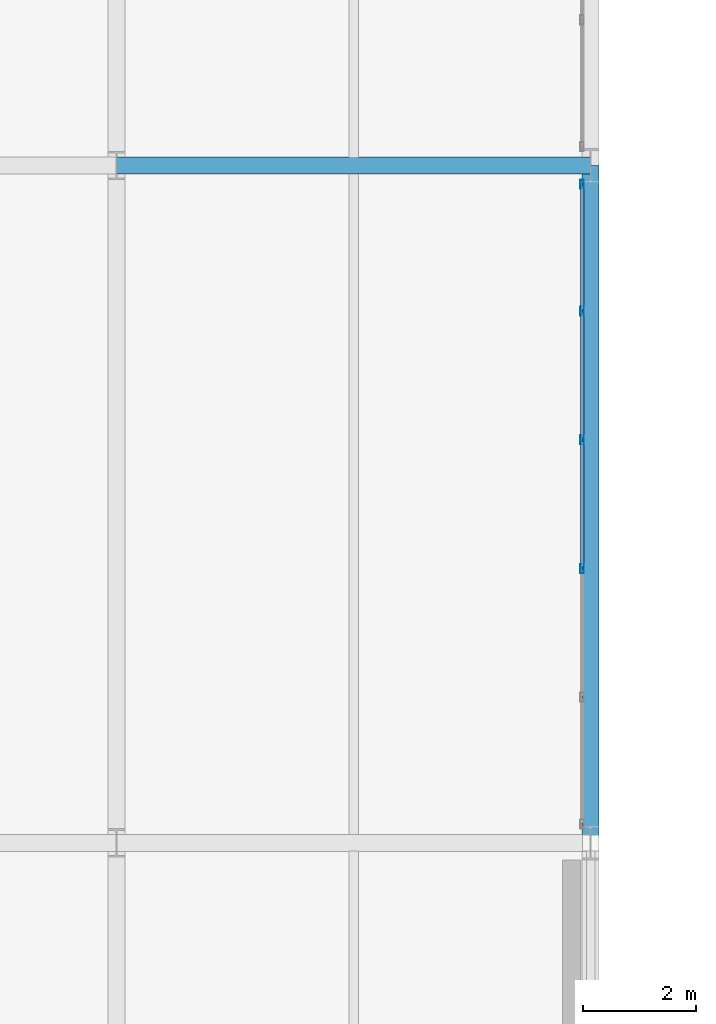
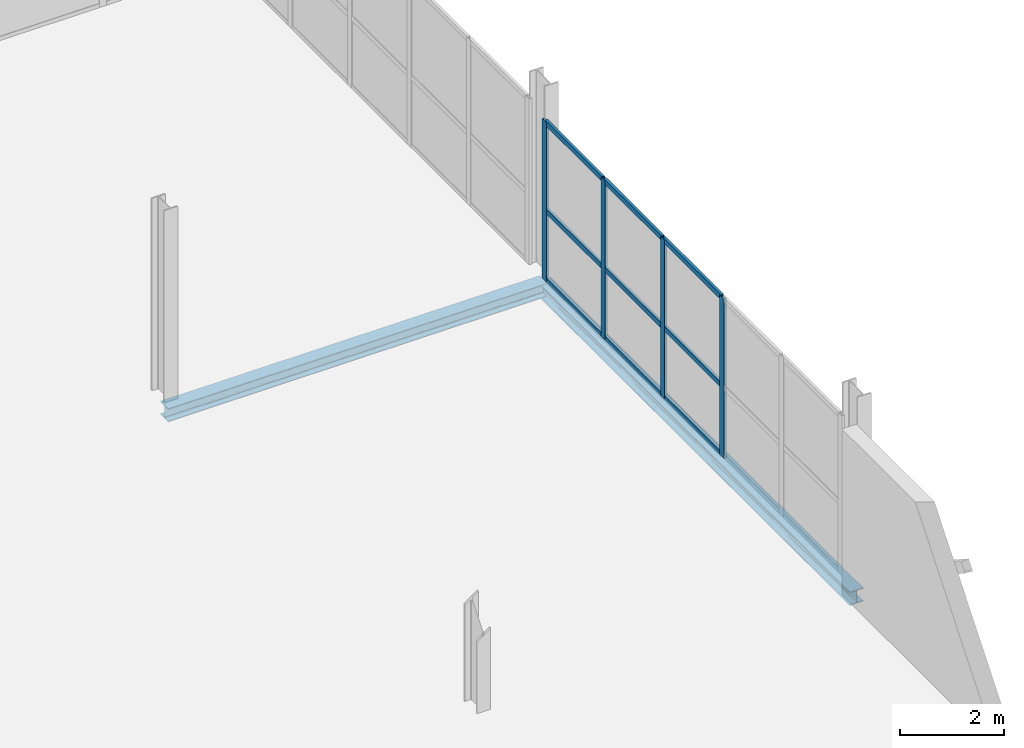
# One storey, part 50 of 109: 13 members, 2 beams, 1 element without a shape of its own.
"""IFC4 building model written with IfcOpenShell, lengths in metres."""

from ifc_helpers import new_model, si_unit, direction, frame, origin, origin_2d, place, context, subcontext, project, spatial, hollow_rectangle, i_section, extrude, material, material_profile, profile_set, type_object, element, aggregate, save


model = new_model("IFC4")

# Units and contexts
model_context = context("Model", 3, precision=1e-05, world=origin(), true_north=direction((0.0, 1.0)))
body_context = subcontext(model_context, "Body", "Model", "MODEL_VIEW")
ifc_project = project(units=[si_unit("LENGTHUNIT", "METRE"), si_unit("AREAUNIT", "SQUARE_METRE"), si_unit("VOLUMEUNIT", "CUBIC_METRE"), si_unit("PLANEANGLEUNIT", "RADIAN"), si_unit("MASSUNIT", "GRAM", prefix="KILO")], contexts=[model_context])

# Site, building, storey
site_placement = place(None, origin())
site = spatial("IfcSite", under=ifc_project, at=site_placement, CompositionType="ELEMENT")
building_placement = place(site_placement, origin())
building = spatial("IfcBuilding", under=site, at=building_placement, Name="Veltarok Museum of Natural Sciences", CompositionType="ELEMENT")
storey_placement = place(building_placement, frame((0.0, 0.0, 17.39990234375)))
storey = spatial("IfcBuildingStorey", under=building, at=storey_placement, Name="L03", CompositionType="ELEMENT", Elevation=17.39990234375)

# Curtain wall, members
ifc_material_1 = material(Name="Low-iron triple insulated glass", Category="glass")
curtain_wall_type = type_object("IfcCurtainWallType", Name="Curtain Wall System CW-V2E-L03-3-1140x373 (CW-V2E L03 1140x373cm)", PredefinedType="NOTDEFINED", material=ifc_material_1)
curtain_wall_placement = place(storey_placement, origin())
curtain_wall = element("IfcCurtainWall", 1, at=curtain_wall_placement, inside=storey, type_object=curtain_wall_type, Name="Curtain Wall CW-V2E-L03-3-1140x373 CW-0135", PredefinedType="NOTDEFINED")
ifc_material_2 = material(Name="Thermally broken anodised aluminium", Category="aluminium")
ifc_material_profile_1 = material_profile(ifc_material_2, hollow_rectangle(XDim=0.06005859375, YDim=0.1201171875, WallThickness=0.0048828125, at=origin_2d()), Name="CW TRANSOM 60x120x5")
ifc_profile_set_1 = profile_set([ifc_material_profile_1], Name="Thermally broken anodised aluminium")
member_type_1 = type_object("IfcMemberType", Name="Curtain Wall Horizontal Transom 60x120x5", PredefinedType="USERDEFINED", material=ifc_profile_set_1)
member_1_placement = place(storey_placement, frame((98.64990234375, 52.889892578125, 0.028076171875), z_axis=(0.0, 1.0, 0.0), x_axis=(-1.0, 0.0, 0.0)))
member_1 = element("IfcMember", 2, at=member_1_placement, type_object=member_type_1, Name="CW-V2E-L03-3-1140x373 transom 3.1", ObjectType="TRANSOM", PredefinedType="USERDEFINED", context=body_context, shape_type="SweptSolid", body=[
    extrude(hollow_rectangle(XDim=0.06005859375, YDim=0.1201171875, WallThickness=0.0048828125, at=origin_2d()), origin(), (0.0, 0.0, 1.0), 2.22021484375),
])
member_2_placement = place(storey_placement, frame((98.64990234375, 52.889892578125, 1.648193359375), z_axis=(0.0, 1.0, 0.0), x_axis=(-1.0, 0.0, 0.0)))
member_2 = element("IfcMember", 3, at=member_2_placement, type_object=member_type_1, Name="CW-V2E-L03-3-1140x373 transom 3.2", ObjectType="TRANSOM", PredefinedType="USERDEFINED", context=body_context, shape_type="SweptSolid", body=[
    extrude(hollow_rectangle(XDim=0.06005859375, YDim=0.1201171875, WallThickness=0.0048828125, at=origin_2d()), origin(), (0.0, 0.0, 1.0), 2.22021484375),
])
member_3_placement = place(storey_placement, frame((98.64990234375, 52.889892578125, 3.7001953125), z_axis=(0.0, 1.0, 0.0), x_axis=(-1.0, 0.0, 0.0)))
member_3 = element("IfcMember", 4, at=member_3_placement, type_object=member_type_1, Name="CW-V2E-L03-3-1140x373 transom 3.3", ObjectType="TRANSOM", PredefinedType="USERDEFINED", context=body_context, shape_type="SweptSolid", body=[
    extrude(hollow_rectangle(XDim=0.06005859375, YDim=0.1201171875, WallThickness=0.0048828125, at=origin_2d()), origin(), (0.0, 0.0, 1.0), 2.22021484375),
])
member_4_placement = place(storey_placement, frame((98.64990234375, 55.169921875, 0.028076171875), z_axis=(0.0, 1.0, 0.0), x_axis=(-1.0, 0.0, 0.0)))
member_4 = element("IfcMember", 5, at=member_4_placement, type_object=member_type_1, Name="CW-V2E-L03-3-1140x373 transom 4.1", ObjectType="TRANSOM", PredefinedType="USERDEFINED", context=body_context, shape_type="SweptSolid", body=[
    extrude(hollow_rectangle(XDim=0.06005859375, YDim=0.1201171875, WallThickness=0.0048828125, at=origin_2d()), origin(), (0.0, 0.0, 1.0), 2.219970703125),
])
member_5_placement = place(storey_placement, frame((98.64990234375, 55.169921875, 1.648193359375), z_axis=(0.0, 1.0, 0.0), x_axis=(-1.0, 0.0, 0.0)))
member_5 = element("IfcMember", 6, at=member_5_placement, type_object=member_type_1, Name="CW-V2E-L03-3-1140x373 transom 4.2", ObjectType="TRANSOM", PredefinedType="USERDEFINED", context=body_context, shape_type="SweptSolid", body=[
    extrude(hollow_rectangle(XDim=0.06005859375, YDim=0.1201171875, WallThickness=0.0048828125, at=origin_2d()), origin(), (0.0, 0.0, 1.0), 2.219970703125),
])
member_6_placement = place(storey_placement, frame((98.64990234375, 55.169921875, 3.7001953125), z_axis=(0.0, 1.0, 0.0), x_axis=(-1.0, 0.0, 0.0)))
member_6 = element("IfcMember", 7, at=member_6_placement, type_object=member_type_1, Name="CW-V2E-L03-3-1140x373 transom 4.3", ObjectType="TRANSOM", PredefinedType="USERDEFINED", context=body_context, shape_type="SweptSolid", body=[
    extrude(hollow_rectangle(XDim=0.06005859375, YDim=0.1201171875, WallThickness=0.0048828125, at=origin_2d()), origin(), (0.0, 0.0, 1.0), 2.219970703125),
])
member_7_placement = place(storey_placement, frame((98.64990234375, 57.449951171875, 0.028076171875), z_axis=(0.0, 1.0, 0.0), x_axis=(-1.0, 0.0, 0.0)))
member_7 = element("IfcMember", 8, at=member_7_placement, type_object=member_type_1, Name="CW-V2E-L03-3-1140x373 transom 5.1", ObjectType="TRANSOM", PredefinedType="USERDEFINED", context=body_context, shape_type="SweptSolid", body=[
    extrude(hollow_rectangle(XDim=0.06005859375, YDim=0.1201171875, WallThickness=0.0048828125, at=origin_2d()), origin(), (0.0, 0.0, 1.0), 2.18994140625),
])
member_8_placement = place(storey_placement, frame((98.64990234375, 57.449951171875, 1.648193359375), z_axis=(0.0, 1.0, 0.0), x_axis=(-1.0, 0.0, 0.0)))
member_8 = element("IfcMember", 9, at=member_8_placement, type_object=member_type_1, Name="CW-V2E-L03-3-1140x373 transom 5.2", ObjectType="TRANSOM", PredefinedType="USERDEFINED", context=body_context, shape_type="SweptSolid", body=[
    extrude(hollow_rectangle(XDim=0.06005859375, YDim=0.1201171875, WallThickness=0.0048828125, at=origin_2d()), origin(), (0.0, 0.0, 1.0), 2.18994140625),
])
member_9_placement = place(storey_placement, frame((98.64990234375, 57.449951171875, 3.7001953125), z_axis=(0.0, 1.0, 0.0), x_axis=(-1.0, 0.0, 0.0)))
member_9 = element("IfcMember", 10, at=member_9_placement, type_object=member_type_1, Name="CW-V2E-L03-3-1140x373 transom 5.3", ObjectType="TRANSOM", PredefinedType="USERDEFINED", context=body_context, shape_type="SweptSolid", body=[
    extrude(hollow_rectangle(XDim=0.06005859375, YDim=0.1201171875, WallThickness=0.0048828125, at=origin_2d()), origin(), (0.0, 0.0, 1.0), 2.18994140625),
])
ifc_material_profile_2 = material_profile(ifc_material_2, hollow_rectangle(XDim=0.06005859375, YDim=0.159912109375, WallThickness=0.0048828125, at=origin_2d()), Name="CW MULLION 60x160x5")
ifc_profile_set_2 = profile_set([ifc_material_profile_2], Name="Thermally broken anodised aluminium")
member_type_2 = type_object("IfcMemberType", Name="Curtain Wall Vertical Mullion 60x160x5", PredefinedType="MULLION", material=ifc_profile_set_2)
member_10_placement = place(storey_placement, frame((98.64990234375, 52.860107421875, -0.001953125), z_axis=(0.0, 0.0, 1.0), x_axis=(-1.0, 0.0, 0.0)))
member_10 = element("IfcMember", 11, at=member_10_placement, type_object=member_type_2, Name="CW-V2E-L03-3-1140x373 mullion 3", PredefinedType="MULLION", context=body_context, shape_type="SweptSolid", body=[
    extrude(hollow_rectangle(XDim=0.06005859375, YDim=0.159912109375, WallThickness=0.0048828125, at=origin_2d()), origin(), (0.0, 0.0, 1.0), 3.73193359375),
])
member_11_placement = place(storey_placement, frame((98.64990234375, 55.139892578125, -0.001953125), z_axis=(0.0, 0.0, 1.0), x_axis=(-1.0, 0.0, 0.0)))
member_11 = element("IfcMember", 12, at=member_11_placement, type_object=member_type_2, Name="CW-V2E-L03-3-1140x373 mullion 4", PredefinedType="MULLION", context=body_context, shape_type="SweptSolid", body=[
    extrude(hollow_rectangle(XDim=0.06005859375, YDim=0.159912109375, WallThickness=0.0048828125, at=origin_2d()), origin(), (0.0, 0.0, 1.0), 3.73193359375),
])
member_12_placement = place(storey_placement, frame((98.64990234375, 57.419921875, -0.001953125), z_axis=(0.0, 0.0, 1.0), x_axis=(-1.0, 0.0, 0.0)))
member_12 = element("IfcMember", 13, at=member_12_placement, type_object=member_type_2, Name="CW-V2E-L03-3-1140x373 mullion 5", PredefinedType="MULLION", context=body_context, shape_type="SweptSolid", body=[
    extrude(hollow_rectangle(XDim=0.06005859375, YDim=0.159912109375, WallThickness=0.0048828125, at=origin_2d()), origin(), (0.0, 0.0, 1.0), 3.73193359375),
])
member_13_placement = place(storey_placement, frame((98.64990234375, 59.669921875, -0.001953125), z_axis=(0.0, 0.0, 1.0), x_axis=(-1.0, 0.0, 0.0)))
member_13 = element("IfcMember", 14, at=member_13_placement, type_object=member_type_2, Name="CW-V2E-L03-3-1140x373 mullion 6", PredefinedType="MULLION", context=body_context, shape_type="SweptSolid", body=[
    extrude(hollow_rectangle(XDim=0.06005859375, YDim=0.159912109375, WallThickness=0.0048828125, at=origin_2d()), origin(), (0.0, 0.0, 1.0), 3.73193359375),
])
aggregate(curtain_wall, [member_10, member_11, member_12, member_13, member_1, member_2, member_3, member_4, member_5, member_6, member_7, member_8, member_9])

# Beams
ifc_material_3 = material(Name="Steel S355J2", Category="steel")
ifc_material_profile_3 = material_profile(ifc_material_3, i_section(OverallWidth=0.300048828125, OverallDepth=0.31005859375, WebThickness=0.009033203125, FlangeThickness=0.015380859375, FilletRadius=0.027099609375, at=origin_2d()), Name="HEA 320")
ifc_profile_set_3 = profile_set([ifc_material_profile_3], Name="Steel S355J2")
beam_type = type_object("IfcBeamType", Name="Perimeter Edge Spandrel HEA 320", PredefinedType="SPANDREL", material=ifc_profile_set_3)
beam_1_placement = place(storey_placement, frame((90.39990234375, 60.0, -0.40478515625), z_axis=(1.0, 0.0, 0.0), x_axis=(0.0, 1.0, 0.0)))
element("IfcBeam", 15, at=beam_1_placement, inside=storey, type_object=beam_type, Name="Beam BM-SP04 L03 11-12/G", PredefinedType="SPANDREL", context=body_context, shape_type="SweptSolid", body=[
    extrude(i_section(OverallWidth=0.300048828125, OverallDepth=0.31005859375, WebThickness=0.009033203125, FlangeThickness=0.015380859375, FilletRadius=0.027099609375, at=origin_2d()), origin(), (0.0, 0.0, 1.0), 8.400146484375),
])
beam_2_placement = place(storey_placement, frame((98.800048828125, 48.0, -0.40478515625), z_axis=(0.0, 1.0, 0.0), x_axis=(-1.0, 0.0, 0.0)))
element("IfcBeam", 16, at=beam_2_placement, inside=storey, type_object=beam_type, Name="Beam BM-SP04 L03 12/F-G", PredefinedType="SPANDREL", context=body_context, shape_type="SweptSolid", body=[
    extrude(i_section(OverallWidth=0.300048828125, OverallDepth=0.31005859375, WebThickness=0.009033203125, FlangeThickness=0.015380859375, FilletRadius=0.027099609375, at=origin_2d()), origin(), (0.0, 0.0, 1.0), 12.0),
])

save(model, "model.ifc")
